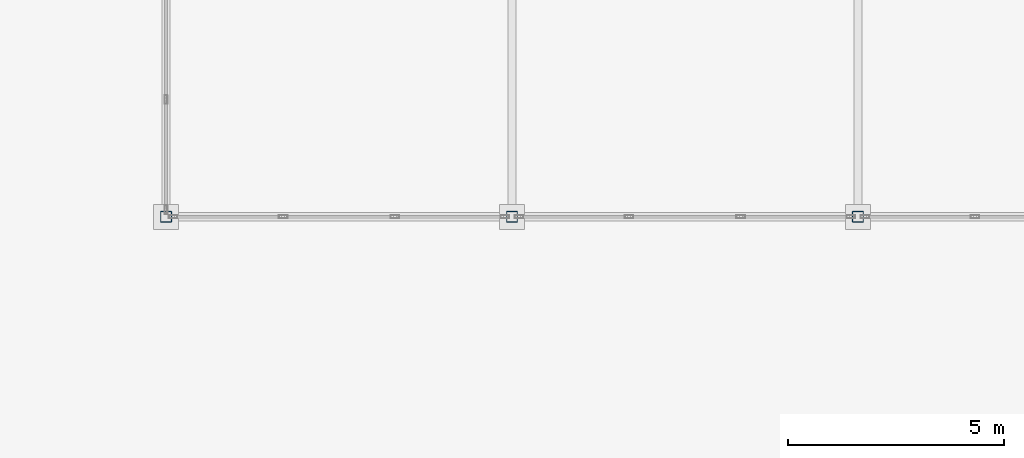
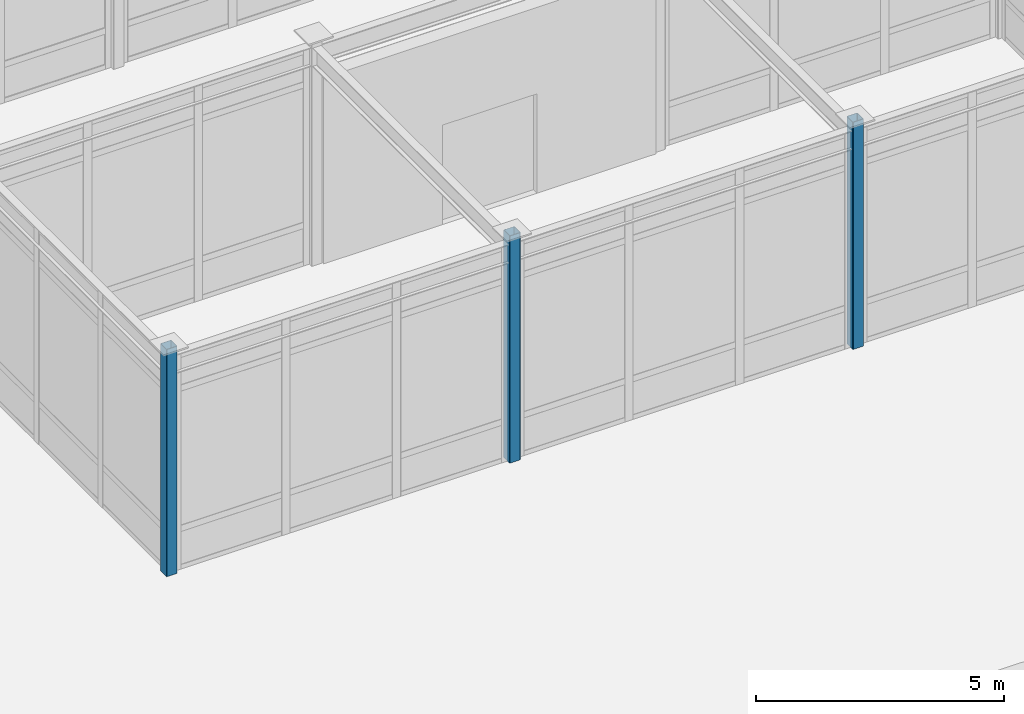
# One storey, part 5 of 128: 3 columns.
"""IFC4 building model written with IfcOpenShell, lengths in metres."""

from ifc_helpers import new_model, si_unit, direction, frame, origin, origin_2d, place, context, subcontext, project, spatial, hollow_rectangle, extrude, material, material_profile, profile_set, type_object, element, save


model = new_model("IFC4")

# Units and contexts
model_context = context("Model", 3, precision=1e-05, world=origin(), true_north=direction((0.0, 1.0)))
body_context = subcontext(model_context, "Body", "Model", "MODEL_VIEW")
ifc_project = project(units=[si_unit("LENGTHUNIT", "METRE"), si_unit("AREAUNIT", "SQUARE_METRE"), si_unit("VOLUMEUNIT", "CUBIC_METRE"), si_unit("PLANEANGLEUNIT", "RADIAN"), si_unit("MASSUNIT", "GRAM", prefix="KILO")], contexts=[model_context])

# Site, building, storey
site_placement = place(None, origin())
site = spatial("IfcSite", under=ifc_project, at=site_placement, CompositionType="ELEMENT")
building_placement = place(site_placement, origin())
building = spatial("IfcBuilding", under=site, at=building_placement, Name="Solmirada Galleria", CompositionType="ELEMENT")
storey_placement = place(building_placement, origin())
storey = spatial("IfcBuildingStorey", under=building, at=storey_placement, Name="L00", CompositionType="ELEMENT", Elevation=0.0)

# Columns
ifc_material = material(Name="Steel S355 / ASTM A500 Grade C", Category="steel")
ifc_material_profile = material_profile(ifc_material, hollow_rectangle(XDim=0.25390625, YDim=0.25390625, WallThickness=0.0087890625, InnerFilletRadius=0.0087890625, OuterFilletRadius=0.017822265625, at=origin_2d()), Name="HSS10X10X3/8")
ifc_profile_set = profile_set([ifc_material_profile], Name="Steel S355 / ASTM A500 Grade C")
column_type = type_object("IfcColumnType", Name="COL-HSS10", PredefinedType="COLUMN", material=ifc_profile_set)
for number, where, z_axis, x_axis, name in (
    (1, (48.0, 56.0, 0.0), (0.0, 0.0, 1.0), (1.0, 0.0, 0.0), "Structural column L00-0103"),
    (2, (56.0, 56.0, 0.0), (0.0, 0.0, 1.0), (1.0, 0.0, 0.0), "Structural column L00-0170"),
    (3, (64.0, 56.0, 0.0), (0.0, 0.0, 1.0), (1.0, 0.0, 0.0), "Structural column L00-0234"),
):
    element("IfcColumn", number, at=place(storey_placement, frame(where, z_axis=z_axis, x_axis=x_axis)), inside=storey, type_object=column_type, Name=name, PredefinedType="COLUMN", context=body_context, shape_type="SweptSolid", body=[
        extrude(hollow_rectangle(XDim=0.25390625, YDim=0.25390625, WallThickness=0.0087890625, InnerFilletRadius=0.0087890625, OuterFilletRadius=0.017822265625, at=origin_2d()), origin(), (0.0, 0.0, 1.0), 5.60009765625),
    ])

save(model, "model.ifc")
